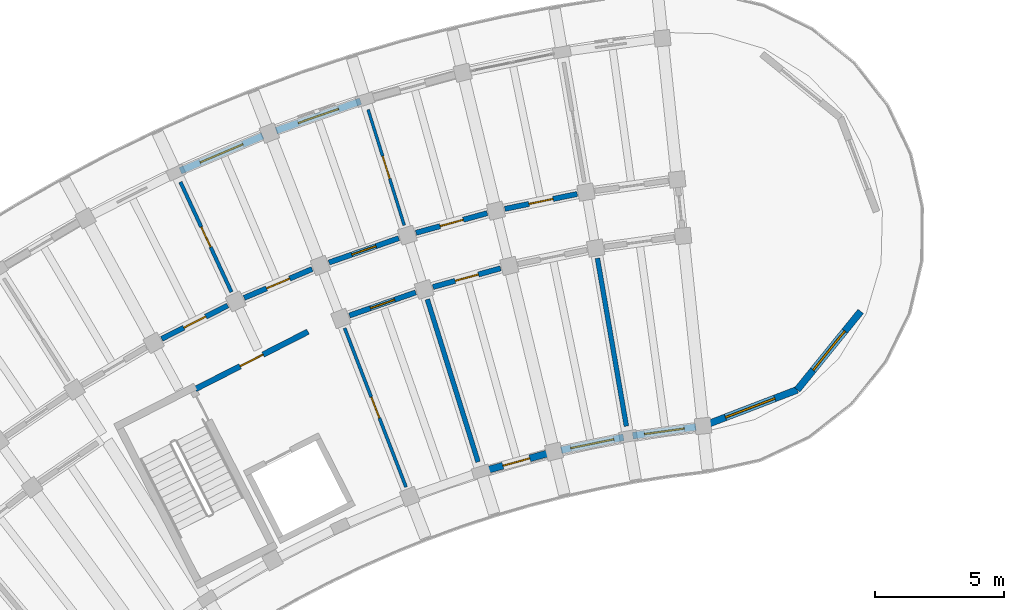
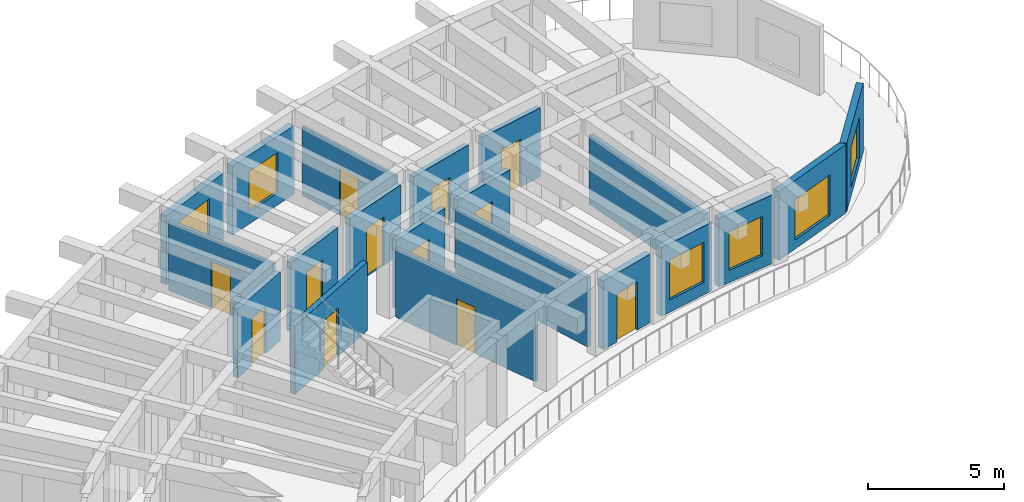
# One storey, part 90 of 128: 20 walls, 12 doors, 6 windows, 18 openings.
"""IFC4 building model written with IfcOpenShell, lengths in metres."""

from ifc_helpers import new_model, si_unit, direction, frame, frame_2d, origin, place, context, subcontext, project, spatial, rectangle, extrude, material, layer, layer_set, type_object, element, fill, save


model = new_model("IFC4")

# Units and contexts
model_context = context("Model", 3, precision=1e-05, world=origin(), true_north=direction((0.0, 1.0)))
body_context = subcontext(model_context, "Body", "Model", "MODEL_VIEW")
ifc_project = project(units=[si_unit("LENGTHUNIT", "METRE"), si_unit("AREAUNIT", "SQUARE_METRE"), si_unit("VOLUMEUNIT", "CUBIC_METRE"), si_unit("PLANEANGLEUNIT", "RADIAN"), si_unit("MASSUNIT", "GRAM", prefix="KILO")], contexts=[model_context])

# Site, building, storey
site_placement = place(None, origin())
site = spatial("IfcSite", under=ifc_project, at=site_placement, CompositionType="ELEMENT")
building_placement = place(site_placement, origin())
building = spatial("IfcBuilding", under=site, at=building_placement, Name="Tanwirah Colonnade Gardens", CompositionType="ELEMENT")
storey_placement = place(building_placement, frame((0.0, 0.0, 4.760009765625)))
storey = spatial("IfcBuildingStorey", under=building, at=storey_placement, Name="L01", CompositionType="ELEMENT", Elevation=4.760009765625)

# Wall, opening, window
ifc_material_1 = material(Name="Limestone architectural precast concrete C40/50", Category="masonry")
ifc_layer_1 = layer(ifc_material_1, 0.27001953125)
ifc_layer_set_1 = layer_set([ifc_layer_1], Name="Limestone architectural precast concrete C40/50")
wall_type_1 = type_object("IfcWallType", Name="EW-PC270", PredefinedType="SOLIDWALL", material=ifc_layer_set_1)
wall_1_placement = place(storey_placement, frame((60.076416015625, 104.3681640625, 0.0), z_axis=(0.0, 0.0, 1.0), x_axis=(-0.990533748482, -0.137269418003, 0.0)))
wall_1 = element("IfcWall", 1, at=wall_1_placement, inside=storey, type_object=wall_type_1, Name="Block A L01 IN Precast Facade Wall 0", PredefinedType="SOLIDWALL", context=body_context, shape_type="SweptSolid", body=[
    extrude(rectangle(XDim=2.470458984375, YDim=0.27001953125, at=frame_2d((1.2353515625, 0.0))), origin(), (0.0, 0.0, 1.0), 3.074951171875),
])
opening_1_placement = place(wall_1_placement, frame((0.460205078125, 0.0, 0.550048828125)))
opening_1 = element("IfcOpeningElement", 2, at=opening_1_placement, cuts=wall_1, Name="Opening WIN-T09", PredefinedType="OPENING", context=body_context, shape_type="SweptSolid", body=[
    extrude(rectangle(XDim=1.550048828125, YDim=1.75, at=frame_2d((0.77490234375, 0.875))), frame((0.0, 0.14501953125, 0.0), z_axis=(0.0, -1.0, 0.0), x_axis=(1.0, 0.0, 0.0)), (0.0, 0.0, 1.0), 0.2900390625),
])
ifc_material_2 = material(Name="Thermally broken bronze aluminium and solar low-E double glazing", Category="aluminium")
window_type_1 = type_object("IfcWindowType", Name="WIN-T09", PartitioningType="DOUBLE_PANEL_VERTICAL", PredefinedType="WINDOW", material=ifc_material_2)
window_1_placement = place(opening_1_placement, origin())
window_1 = element("IfcWindow", 3, at=window_1_placement, inside=storey, type_object=window_type_1, Name="Facade window A-L01-IN-00", OverallHeight=1.75, OverallWidth=1.550048828125, PartitioningType="SINGLE_PANEL", PredefinedType="WINDOW", context=body_context, shape_type="SweptSolid", body=[
    extrude(rectangle(XDim=1.550048828125, YDim=1.75, at=frame_2d((0.77490234375, 0.875))), frame((0.0, 0.030029296875, 0.0), z_axis=(0.0, -1.0, 0.0), x_axis=(1.0, 0.0, 0.0)), (0.0, 0.0, 1.0), 0.06005859375),
])
fill(opening_1, window_1)

wall_2_placement = place(storey_placement, frame((57.27490234375, 103.968017578125, 0.0), z_axis=(0.0, 0.0, 1.0), x_axis=(-0.9793219046, -0.202308198478, 0.0)))
wall_2 = element("IfcWall", 4, at=wall_2_placement, inside=storey, type_object=wall_type_1, Name="Block A L01 IN Precast Facade Wall 1", PredefinedType="SOLIDWALL", context=body_context, shape_type="SweptSolid", body=[
    extrude(rectangle(XDim=2.47021484375, YDim=0.27001953125, at=frame_2d((1.235107421875, 0.0))), origin(), (0.0, 0.0, 1.0), 3.074951171875),
])
opening_2_placement = place(wall_2_placement, frame((0.385009765625, 0.0, 0.550048828125)))
opening_2 = element("IfcOpeningElement", 5, at=opening_2_placement, cuts=wall_2, Name="Opening WIN-T12", PredefinedType="OPENING", context=body_context, shape_type="SweptSolid", body=[
    extrude(rectangle(XDim=1.699951171875, YDim=1.800048828125, at=frame_2d((0.85009765625, 0.89990234375))), frame((0.0, 0.14501953125, 0.0), z_axis=(0.0, -1.0, 0.0), x_axis=(1.0, 0.0, 0.0)), (0.0, 0.0, 1.0), 0.2900390625),
])
window_type_2 = type_object("IfcWindowType", Name="WIN-T12", PartitioningType="TRIPLE_PANEL_VERTICAL", PredefinedType="WINDOW", material=ifc_material_2)
window_2_placement = place(opening_2_placement, origin())
window_2 = element("IfcWindow", 6, at=window_2_placement, inside=storey, type_object=window_type_2, Name="Facade window A-L01-IN-01", OverallHeight=1.800048828125, OverallWidth=1.699951171875, PartitioningType="SINGLE_PANEL", PredefinedType="WINDOW", context=body_context, shape_type="SweptSolid", body=[
    extrude(rectangle(XDim=1.699951171875, YDim=1.800048828125, at=frame_2d((0.85009765625, 0.89990234375))), frame((0.0, 0.030029296875, 0.0), z_axis=(0.0, -1.0, 0.0), x_axis=(1.0, 0.0, 0.0)), (0.0, 0.0, 1.0), 0.06005859375),
])
fill(opening_2, window_2)

# Wall, opening, door
wall_3_placement = place(storey_placement, frame((54.3115234375, 103.337158203125, 0.0), z_axis=(0.0, 0.0, 1.0), x_axis=(-0.963903451939, -0.266252014716, 0.0)))
wall_3 = element("IfcWall", 7, at=wall_3_placement, inside=storey, type_object=wall_type_1, Name="Block A L01 IN Precast Facade Wall 2", PredefinedType="SOLIDWALL", context=body_context, shape_type="SweptSolid", body=[
    extrude(rectangle(XDim=2.47021484375, YDim=0.27001953125, at=frame_2d((1.235107421875, 0.0))), origin(), (0.0, 0.0, 1.0), 3.074951171875),
])
opening_3_placement = place(wall_3_placement, frame((0.695068359375, 0.0, 0.0)))
opening_3 = element("IfcOpeningElement", 8, at=opening_3_placement, cuts=wall_3, Name="Opening L01-ED004", PredefinedType="OPENING", context=body_context, shape_type="SweptSolid", body=[
    extrude(rectangle(XDim=1.080078125, YDim=2.14990234375, at=frame_2d((0.5400390625, 1.074951171875))), frame((0.0, 0.14501953125, 0.0), z_axis=(0.0, -1.0, 0.0), x_axis=(1.0, 0.0, 0.0)), (0.0, 0.0, 1.0), 0.2900390625),
])
ifc_material_3 = material(Name="Bronze aluminium glazed balcony door", Category="aluminium")
door_type_1 = type_object("IfcDoorType", Name="ED-BAL108", OperationType="NOTDEFINED", PredefinedType="DOOR", material=ifc_material_3)
door_1_placement = place(opening_3_placement, origin())
door_1 = element("IfcDoor", 9, at=door_1_placement, inside=storey, type_object=door_type_1, Name="Balcony glazed door L01-ED004", OperationType="SINGLE_SWING_RIGHT", OverallHeight=2.14990234375, OverallWidth=1.080078125, PredefinedType="DOOR", context=body_context, shape_type="SweptSolid", body=[
    extrude(rectangle(XDim=1.080078125, YDim=2.14990234375, at=frame_2d((0.5400390625, 1.074951171875))), frame((0.0, 0.02490234375, 0.0), z_axis=(0.0, -1.0, 0.0), x_axis=(1.0, 0.0, 0.0)), (0.0, 0.0, 1.0), 0.050048828125),
])
fill(opening_3, door_1)

# Wall, opening, window
wall_4_placement = place(storey_placement, frame((47.08837890625, 116.986328125, 0.0), z_axis=(0.0, 0.0, 1.0), x_axis=(-0.944261813885, -0.329195423477, 0.0)))
wall_4 = element("IfcWall", 10, at=wall_4_placement, inside=storey, type_object=wall_type_1, Name="Block A L01 OUT Precast Facade Wall 3", PredefinedType="SOLIDWALL", context=body_context, shape_type="SweptSolid", body=[
    extrude(rectangle(XDim=3.465576171875, YDim=0.27001953125, at=frame_2d((1.73291015625, 0.0))), origin(), (0.0, 0.0, 1.0), 3.074951171875),
])
opening_4_placement = place(wall_4_placement, frame((0.90771484375, 0.0, 0.550048828125)))
opening_4 = element("IfcOpeningElement", 11, at=opening_4_placement, cuts=wall_4, Name="Opening WIN-T11", PredefinedType="OPENING", context=body_context, shape_type="SweptSolid", body=[
    extrude(rectangle(XDim=1.64990234375, YDim=1.800048828125, at=frame_2d((0.824951171875, 0.89990234375))), frame((0.0, 0.14501953125, 0.0), z_axis=(0.0, -1.0, 0.0), x_axis=(1.0, 0.0, 0.0)), (0.0, 0.0, 1.0), 0.2900390625),
])
window_type_3 = type_object("IfcWindowType", Name="WIN-T11", PartitioningType="DOUBLE_PANEL_VERTICAL", PredefinedType="WINDOW", material=ifc_material_2)
window_3_placement = place(opening_4_placement, origin())
window_3 = element("IfcWindow", 12, at=window_3_placement, inside=storey, type_object=window_type_3, Name="Facade window A-L01-OUT-03", OverallHeight=1.800048828125, OverallWidth=1.64990234375, PartitioningType="SINGLE_PANEL", PredefinedType="WINDOW", context=body_context, shape_type="SweptSolid", body=[
    extrude(rectangle(XDim=1.64990234375, YDim=1.800048828125, at=frame_2d((0.824951171875, 0.89990234375))), frame((0.0, 0.030029296875, 0.0), z_axis=(0.0, -1.0, 0.0), x_axis=(1.0, 0.0, 0.0)), (0.0, 0.0, 1.0), 0.06005859375),
])
fill(opening_4, window_3)

wall_5_placement = place(storey_placement, frame((43.293701171875, 115.643798828125, 0.0), z_axis=(0.0, 0.0, 1.0), x_axis=(-0.920495033259, -0.390754262607, 0.0)))
wall_5 = element("IfcWall", 13, at=wall_5_placement, inside=storey, type_object=wall_type_1, Name="Block A L01 OUT Precast Facade Wall 4", PredefinedType="SOLIDWALL", context=body_context, shape_type="SweptSolid", body=[
    extrude(rectangle(XDim=3.4658203125, YDim=0.27001953125, at=frame_2d((1.73291015625, 0.0))), origin(), (0.0, 0.0, 1.0), 3.074951171875),
])
opening_5_placement = place(wall_5_placement, frame((0.832763671875, 0.0, 0.550048828125)))
opening_5 = element("IfcOpeningElement", 14, at=opening_5_placement, cuts=wall_5, Name="Opening WIN-T14", PredefinedType="OPENING", context=body_context, shape_type="SweptSolid", body=[
    extrude(rectangle(XDim=1.800048828125, YDim=1.85009765625, at=frame_2d((0.89990234375, 0.925048828125))), frame((0.0, 0.14501953125, 0.0), z_axis=(0.0, -1.0, 0.0), x_axis=(1.0, 0.0, 0.0)), (0.0, 0.0, 1.0), 0.2900390625),
])
window_type_4 = type_object("IfcWindowType", Name="WIN-T14", PartitioningType="TRIPLE_PANEL_VERTICAL", PredefinedType="WINDOW", material=ifc_material_2)
window_4_placement = place(opening_5_placement, origin())
window_4 = element("IfcWindow", 15, at=window_4_placement, inside=storey, type_object=window_type_4, Name="Facade window A-L01-OUT-04", OverallHeight=1.85009765625, OverallWidth=1.800048828125, PartitioningType="SINGLE_PANEL", PredefinedType="WINDOW", context=body_context, shape_type="SweptSolid", body=[
    extrude(rectangle(XDim=1.800048828125, YDim=1.85009765625, at=frame_2d((0.89990234375, 0.925048828125))), frame((0.0, 0.030029296875, 0.0), z_axis=(0.0, -1.0, 0.0), x_axis=(1.0, 0.0, 0.0)), (0.0, 0.0, 1.0), 0.06005859375),
])
fill(opening_5, window_4)

wall_6_placement = place(storey_placement, frame((66.461669921875, 108.84423828125, 0.0), z_axis=(0.0, 0.0, 1.0), x_axis=(-0.629331205321, -0.777137204109, 0.0)))
wall_6 = element("IfcWall", 16, at=wall_6_placement, inside=storey, type_object=wall_type_1, Name="Block A L01 START Rounded End Wall 4", PredefinedType="SOLIDWALL", context=body_context, shape_type="SweptSolid", body=[
    extrude(rectangle(XDim=3.907958984375, YDim=0.27001953125, at=frame_2d((1.9541015625, 0.0))), origin(), (0.0, 0.0, 1.0), 3.074951171875),
])
opening_6_placement = place(wall_6_placement, frame((0.97900390625, 0.0, 0.39990234375)))
opening_6 = element("IfcOpeningElement", 17, at=opening_6_placement, cuts=wall_6, Name="Opening WIN-END2", PredefinedType="OPENING", context=body_context, shape_type="SweptSolid", body=[
    extrude(rectangle(XDim=1.949951171875, YDim=1.780029296875, at=frame_2d((0.97509765625, 0.89013671875))), frame((0.0, 0.14501953125, 0.0), z_axis=(0.0, -1.0, 0.0), x_axis=(1.0, 0.0, 0.0)), (0.0, 0.0, 1.0), 0.2900390625),
])
window_type_5 = type_object("IfcWindowType", Name="WIN-END2", PartitioningType="TRIPLE_PANEL_VERTICAL", PredefinedType="WINDOW", material=ifc_material_2)
window_5_placement = place(opening_6_placement, origin())
window_5 = element("IfcWindow", 18, at=window_5_placement, inside=storey, type_object=window_type_5, Name="Rounded corner window A-L01-START-4", OverallHeight=1.780029296875, OverallWidth=1.949951171875, PartitioningType="SINGLE_PANEL", PredefinedType="WINDOW", context=body_context, shape_type="SweptSolid", body=[
    extrude(rectangle(XDim=1.949951171875, YDim=1.780029296875, at=frame_2d((0.97509765625, 0.89013671875))), frame((0.0, 0.030029296875, 0.0), z_axis=(0.0, -1.0, 0.0), x_axis=(1.0, 0.0, 0.0)), (0.0, 0.0, 1.0), 0.06005859375),
])
fill(opening_6, window_5)

wall_7_placement = place(storey_placement, frame((64.002197265625, 105.80712890625, 0.0), z_axis=(0.0, 0.0, 1.0), x_axis=(-0.93356922619, -0.35839712598, 0.0)))
wall_7 = element("IfcWall", 19, at=wall_7_placement, inside=storey, type_object=wall_type_1, Name="Block A L01 START Rounded End Wall 5", PredefinedType="SOLIDWALL", context=body_context, shape_type="SweptSolid", body=[
    extrude(rectangle(XDim=3.907958984375, YDim=0.27001953125, at=frame_2d((1.9541015625, 0.0))), origin(), (0.0, 0.0, 1.0), 3.074951171875),
])
opening_7_placement = place(wall_7_placement, frame((0.92919921875, 0.0, 0.39990234375)))
opening_7 = element("IfcOpeningElement", 20, at=opening_7_placement, cuts=wall_7, Name="Opening WIN-END3", PredefinedType="OPENING", context=body_context, shape_type="SweptSolid", body=[
    extrude(rectangle(XDim=2.050048828125, YDim=1.820068359375, at=frame_2d((1.02490234375, 0.91015625))), frame((0.0, 0.14501953125, 0.0), z_axis=(0.0, -1.0, 0.0), x_axis=(1.0, 0.0, 0.0)), (0.0, 0.0, 1.0), 0.2900390625),
])
window_type_6 = type_object("IfcWindowType", Name="WIN-END3", PartitioningType="TRIPLE_PANEL_VERTICAL", PredefinedType="WINDOW", material=ifc_material_2)
window_6_placement = place(opening_7_placement, origin())
window_6 = element("IfcWindow", 21, at=window_6_placement, inside=storey, type_object=window_type_6, Name="Rounded corner window A-L01-START-5", OverallHeight=1.820068359375, OverallWidth=2.050048828125, PartitioningType="SINGLE_PANEL", PredefinedType="WINDOW", context=body_context, shape_type="SweptSolid", body=[
    extrude(rectangle(XDim=2.050048828125, YDim=1.820068359375, at=frame_2d((1.02490234375, 0.91015625))), frame((0.0, 0.030029296875, 0.0), z_axis=(0.0, -1.0, 0.0), x_axis=(1.0, 0.0, 0.0)), (0.0, 0.0, 1.0), 0.06005859375),
])
fill(opening_7, window_6)

# Wall, opening, door
ifc_material_4 = material(Name="Precast concrete C40/50", Category="concrete")
ifc_layer_2 = layer(ifc_material_4, 0.205078125)
ifc_layer_set_2 = layer_set([ifc_layer_2], Name="Precast concrete C40/50")
wall_type_2 = type_object("IfcWallType", Name="IW-CORR205", PredefinedType="PARTITIONING", material=ifc_layer_set_2)
wall_8_placement = place(storey_placement, frame((55.47802734375, 113.39404296875, 0.0), z_axis=(0.0, 0.0, 1.0), x_axis=(-0.979348418612, -0.202179808492, 0.0)))
wall_8 = element("IfcWall", 22, at=wall_8_placement, inside=storey, type_object=wall_type_2, Name="Block A L01 OUT Corridor Wall 1", PredefinedType="PARTITIONING", context=body_context, shape_type="SweptSolid", body=[
    extrude(rectangle(XDim=2.863037109375, YDim=0.205078125, at=frame_2d((1.431640625, 0.0))), origin(), (0.0, 0.0, 1.0), 3.090087890625),
])
opening_8_placement = place(wall_8_placement, frame((0.95654296875, 0.0, 0.0)))
opening_8 = element("IfcOpeningElement", 23, at=opening_8_placement, cuts=wall_8, Name="Opening L01-AD266", PredefinedType="OPENING", context=body_context, shape_type="SweptSolid", body=[
    extrude(rectangle(XDim=0.949951171875, YDim=2.1298828125, at=frame_2d((0.47509765625, 1.06494140625))), frame((0.0, 0.112548828125, 0.0), z_axis=(0.0, -1.0, 0.0), x_axis=(1.0, 0.0, 0.0)), (0.0, 0.0, 1.0), 0.22509765625),
])
ifc_material_5 = material(Name="Solid oak fire-resisting apartment entrance door")
door_type_2 = type_object("IfcDoorType", Name="ID-FLT095", OperationType="NOTDEFINED", PredefinedType="DOOR", material=ifc_material_5)
door_2_placement = place(opening_8_placement, origin())
door_2 = element("IfcDoor", 24, at=door_2_placement, inside=storey, type_object=door_type_2, Name="Apartment corridor door L01-AD266", OperationType="SINGLE_SWING_LEFT", OverallHeight=2.1298828125, OverallWidth=0.949951171875, PredefinedType="DOOR", context=body_context, shape_type="SweptSolid", body=[
    extrude(rectangle(XDim=0.949951171875, YDim=2.1298828125, at=frame_2d((0.47509765625, 1.06494140625))), frame((0.0, 0.02490234375, 0.0), z_axis=(0.0, -1.0, 0.0), x_axis=(1.0, 0.0, 0.0)), (0.0, 0.0, 1.0), 0.050048828125),
])
fill(opening_8, door_2)

wall_9_placement = place(storey_placement, frame((51.993896484375, 112.651123046875, 0.0), z_axis=(0.0, 0.0, 1.0), x_axis=(-0.963890789093, -0.266297853356, 0.0)))
wall_9 = element("IfcWall", 25, at=wall_9_placement, inside=storey, type_object=wall_type_2, Name="Block A L01 OUT Corridor Wall 2", PredefinedType="PARTITIONING", context=body_context, shape_type="SweptSolid", body=[
    extrude(rectangle(XDim=2.863037109375, YDim=0.205078125, at=frame_2d((1.431640625, 0.0))), origin(), (0.0, 0.0, 1.0), 3.090087890625),
])
opening_9_placement = place(wall_9_placement, frame((0.966552734375, 0.0, 0.0)))
opening_9 = element("IfcOpeningElement", 26, at=opening_9_placement, cuts=wall_9, Name="Opening L01-AD268", PredefinedType="OPENING", context=body_context, shape_type="SweptSolid", body=[
    extrude(rectangle(XDim=0.929931640625, YDim=2.1201171875, at=frame_2d((0.46484375, 1.06005859375))), frame((0.0, 0.112548828125, 0.0), z_axis=(0.0, -1.0, 0.0), x_axis=(1.0, 0.0, 0.0)), (0.0, 0.0, 1.0), 0.22509765625),
])
door_type_3 = type_object("IfcDoorType", Name="ID-FLT093", OperationType="NOTDEFINED", PredefinedType="DOOR", material=ifc_material_5)
door_3_placement = place(opening_9_placement, origin())
door_3 = element("IfcDoor", 27, at=door_3_placement, inside=storey, type_object=door_type_3, Name="Apartment corridor door L01-AD268", OperationType="SINGLE_SWING_RIGHT", OverallHeight=2.1201171875, OverallWidth=0.929931640625, PredefinedType="DOOR", context=body_context, shape_type="SweptSolid", body=[
    extrude(rectangle(XDim=0.929931640625, YDim=2.1201171875, at=frame_2d((0.46484375, 1.06005859375))), frame((0.0, 0.02490234375, 0.0), z_axis=(0.0, -1.0, 0.0), x_axis=(1.0, 0.0, 0.0)), (0.0, 0.0, 1.0), 0.050048828125),
])
fill(opening_9, door_3)

wall_10_placement = place(storey_placement, frame((52.509521484375, 110.512451171875, 0.0), z_axis=(0.0, 0.0, 1.0), x_axis=(-0.96388375821, -0.266323301006, 0.0)))
wall_10 = element("IfcWall", 28, at=wall_10_placement, inside=storey, type_object=wall_type_2, Name="Block A L01 IN Corridor Wall 2", PredefinedType="PARTITIONING", context=body_context, shape_type="SweptSolid", body=[
    extrude(rectangle(XDim=2.718017578125, YDim=0.205078125, at=frame_2d((1.35888671875, 0.0))), origin(), (0.0, 0.0, 1.0), 3.090087890625),
])
opening_10_placement = place(wall_10_placement, frame((0.89404296875, 0.0, 0.0)))
opening_10 = element("IfcOpeningElement", 29, at=opening_10_placement, cuts=wall_10, Name="Opening L01-AD269", PredefinedType="OPENING", context=body_context, shape_type="SweptSolid", body=[
    extrude(rectangle(XDim=0.929931640625, YDim=2.1201171875, at=frame_2d((0.46484375, 1.06005859375))), frame((0.0, 0.112548828125, 0.0), z_axis=(0.0, -1.0, 0.0), x_axis=(1.0, 0.0, 0.0)), (0.0, 0.0, 1.0), 0.22509765625),
])
door_4_placement = place(opening_10_placement, origin())
door_4 = element("IfcDoor", 30, at=door_4_placement, inside=storey, type_object=door_type_3, Name="Apartment corridor door L01-AD269", OperationType="SINGLE_SWING_LEFT", OverallHeight=2.1201171875, OverallWidth=0.929931640625, PredefinedType="DOOR", context=body_context, shape_type="SweptSolid", body=[
    extrude(rectangle(XDim=0.929931640625, YDim=2.1201171875, at=frame_2d((0.46484375, 1.06005859375))), frame((0.0, 0.02490234375, 0.0), z_axis=(0.0, -1.0, 0.0), x_axis=(1.0, 0.0, 0.0)), (0.0, 0.0, 1.0), 0.050048828125),
])
fill(opening_10, door_4)

wall_11_placement = place(storey_placement, frame((48.56640625, 111.68017578125, 0.0), z_axis=(0.0, 0.0, 1.0), x_axis=(-0.944253820929, -0.329218349522, 0.0)))
wall_11 = element("IfcWall", 31, at=wall_11_placement, inside=storey, type_object=wall_type_2, Name="Block A L01 OUT Corridor Wall 3", PredefinedType="PARTITIONING", context=body_context, shape_type="SweptSolid", body=[
    extrude(rectangle(XDim=2.86328125, YDim=0.205078125, at=frame_2d((1.431640625, 0.0))), origin(), (0.0, 0.0, 1.0), 3.090087890625),
])
opening_11_placement = place(wall_11_placement, frame((0.9365234375, 0.0, 0.0)))
opening_11 = element("IfcOpeningElement", 32, at=opening_11_placement, cuts=wall_11, Name="Opening L01-AD271", PredefinedType="OPENING", context=body_context, shape_type="SweptSolid", body=[
    extrude(rectangle(XDim=0.989990234375, YDim=2.159912109375, at=frame_2d((0.4951171875, 1.080078125))), frame((0.0, 0.112548828125, 0.0), z_axis=(0.0, -1.0, 0.0), x_axis=(1.0, 0.0, 0.0)), (0.0, 0.0, 1.0), 0.22509765625),
])
door_type_4 = type_object("IfcDoorType", Name="ID-FLT099", OperationType="NOTDEFINED", PredefinedType="DOOR", material=ifc_material_5)
door_5_placement = place(opening_11_placement, origin())
door_5 = element("IfcDoor", 33, at=door_5_placement, inside=storey, type_object=door_type_4, Name="Apartment corridor door L01-AD271", OperationType="SINGLE_SWING_LEFT", OverallHeight=2.159912109375, OverallWidth=0.989990234375, PredefinedType="DOOR", context=body_context, shape_type="SweptSolid", body=[
    extrude(rectangle(XDim=0.989990234375, YDim=2.159912109375, at=frame_2d((0.4951171875, 1.080078125))), frame((0.0, 0.02490234375, 0.0), z_axis=(0.0, -1.0, 0.0), x_axis=(1.0, 0.0, 0.0)), (0.0, 0.0, 1.0), 0.050048828125),
])
fill(opening_11, door_5)

wall_12_placement = place(storey_placement, frame((49.221923828125, 109.580078125, 0.0), z_axis=(0.0, 0.0, 1.0), x_axis=(-0.944265123647, -0.329185929627, 0.0)))
wall_12 = element("IfcWall", 34, at=wall_12_placement, inside=storey, type_object=wall_type_2, Name="Block A L01 IN Corridor Wall 3", PredefinedType="PARTITIONING", context=body_context, shape_type="SweptSolid", body=[
    extrude(rectangle(XDim=2.71826171875, YDim=0.205078125, at=frame_2d((1.359130859375, 0.0))), origin(), (0.0, 0.0, 1.0), 3.090087890625),
])
opening_12_placement = place(wall_12_placement, frame((0.864013671875, 0.0, 0.0)))
opening_12 = element("IfcOpeningElement", 35, at=opening_12_placement, cuts=wall_12, Name="Opening L01-AD272", PredefinedType="OPENING", context=body_context, shape_type="SweptSolid", body=[
    extrude(rectangle(XDim=0.989990234375, YDim=2.159912109375, at=frame_2d((0.4951171875, 1.080078125))), frame((0.0, 0.112548828125, 0.0), z_axis=(0.0, -1.0, 0.0), x_axis=(1.0, 0.0, 0.0)), (0.0, 0.0, 1.0), 0.22509765625),
])
door_6_placement = place(opening_12_placement, origin())
door_6 = element("IfcDoor", 36, at=door_6_placement, inside=storey, type_object=door_type_4, Name="Apartment corridor door L01-AD272", OperationType="SINGLE_SWING_RIGHT", OverallHeight=2.159912109375, OverallWidth=0.989990234375, PredefinedType="DOOR", context=body_context, shape_type="SweptSolid", body=[
    extrude(rectangle(XDim=0.989990234375, YDim=2.159912109375, at=frame_2d((0.4951171875, 1.080078125))), frame((0.0, 0.02490234375, 0.0), z_axis=(0.0, -1.0, 0.0), x_axis=(1.0, 0.0, 0.0)), (0.0, 0.0, 1.0), 0.050048828125),
])
fill(opening_12, door_6)

wall_13_placement = place(storey_placement, frame((45.210205078125, 110.485595703125, 0.0), z_axis=(0.0, 0.0, 1.0), x_axis=(-0.920511160294, -0.390716270168, 0.0)))
wall_13 = element("IfcWall", 37, at=wall_13_placement, inside=storey, type_object=wall_type_2, Name="Block A L01 OUT Corridor Wall 4", PredefinedType="PARTITIONING", context=body_context, shape_type="SweptSolid", body=[
    extrude(rectangle(XDim=2.863037109375, YDim=0.205078125, at=frame_2d((1.431640625, 0.0))), origin(), (0.0, 0.0, 1.0), 3.090087890625),
])
opening_13_placement = place(wall_13_placement, frame((0.946533203125, 0.0, 0.0)))
opening_13 = element("IfcOpeningElement", 38, at=opening_13_placement, cuts=wall_13, Name="Opening L01-AD274", PredefinedType="OPENING", context=body_context, shape_type="SweptSolid", body=[
    extrude(rectangle(XDim=0.969970703125, YDim=2.14990234375, at=frame_2d((0.48486328125, 1.074951171875))), frame((0.0, 0.112548828125, 0.0), z_axis=(0.0, -1.0, 0.0), x_axis=(1.0, 0.0, 0.0)), (0.0, 0.0, 1.0), 0.22509765625),
])
door_type_5 = type_object("IfcDoorType", Name="ID-FLT097", OperationType="NOTDEFINED", PredefinedType="DOOR", material=ifc_material_5)
door_7_placement = place(opening_13_placement, origin())
door_7 = element("IfcDoor", 39, at=door_7_placement, inside=storey, type_object=door_type_5, Name="Apartment corridor door L01-AD274", OperationType="SINGLE_SWING_RIGHT", OverallHeight=2.14990234375, OverallWidth=0.969970703125, PredefinedType="DOOR", context=body_context, shape_type="SweptSolid", body=[
    extrude(rectangle(XDim=0.969970703125, YDim=2.14990234375, at=frame_2d((0.48486328125, 1.074951171875))), frame((0.0, 0.02490234375, 0.0), z_axis=(0.0, -1.0, 0.0), x_axis=(1.0, 0.0, 0.0)), (0.0, 0.0, 1.0), 0.050048828125),
])
fill(opening_13, door_7)

wall_14_placement = place(storey_placement, frame((41.93994140625, 109.072509765625, 0.0), z_axis=(0.0, 0.0, 1.0), x_axis=(-0.89273239336, -0.450587254419, 0.0)))
wall_14 = element("IfcWall", 40, at=wall_14_placement, inside=storey, type_object=wall_type_2, Name="Block A L01 OUT Corridor Wall 5", PredefinedType="PARTITIONING", context=body_context, shape_type="SweptSolid", body=[
    extrude(rectangle(XDim=2.863037109375, YDim=0.205078125, at=frame_2d((1.431640625, 0.0))), origin(), (0.0, 0.0, 1.0), 3.090087890625),
])
opening_14_placement = place(wall_14_placement, frame((0.95654296875, 0.0, 0.0)))
opening_14 = element("IfcOpeningElement", 41, at=opening_14_placement, cuts=wall_14, Name="Opening L01-AD276", PredefinedType="OPENING", context=body_context, shape_type="SweptSolid", body=[
    extrude(rectangle(XDim=0.949951171875, YDim=2.1298828125, at=frame_2d((0.47509765625, 1.06494140625))), frame((0.0, 0.112548828125, 0.0), z_axis=(0.0, -1.0, 0.0), x_axis=(1.0, 0.0, 0.0)), (0.0, 0.0, 1.0), 0.22509765625),
])
door_8_placement = place(opening_14_placement, origin())
door_8 = element("IfcDoor", 42, at=door_8_placement, inside=storey, type_object=door_type_2, Name="Apartment corridor door L01-AD276", OperationType="SINGLE_SWING_LEFT", OverallHeight=2.1298828125, OverallWidth=0.949951171875, PredefinedType="DOOR", context=body_context, shape_type="SweptSolid", body=[
    extrude(rectangle(XDim=0.949951171875, YDim=2.1298828125, at=frame_2d((0.47509765625, 1.06494140625))), frame((0.0, 0.02490234375, 0.0), z_axis=(0.0, -1.0, 0.0), x_axis=(1.0, 0.0, 0.0)), (0.0, 0.0, 1.0), 0.050048828125),
])
fill(opening_14, door_8)

# Walls
ifc_layer_3 = layer(ifc_material_4, 0.18505859375)
ifc_layer_set_3 = layer_set([ifc_layer_3], Name="Precast concrete C40/50")
wall_type_3 = type_object("IfcWallType", Name="IW-DEM185", PredefinedType="PARTITIONING", material=ifc_layer_set_3)
for number, where, z_axis, x_axis, name in (
    (43, (57.38330078125, 104.3984375, 0.0), (0.0, 0.0, 1.0), (-0.169825160084, 0.985474208187, 0.0), "Block A L01 Inner Radial Partition 0"),
    (44, (51.637939453125, 103.01318359375, 0.0), (0.0, 0.0, 1.0), (-0.2979590431, 0.954578655028, 0.0), "Block A L01 Inner Radial Partition 2"),
):
    element("IfcWall", number, at=place(storey_placement, frame(where, z_axis=z_axis, x_axis=x_axis)), inside=storey, type_object=wall_type_3, Name=name, PredefinedType="PARTITIONING", context=body_context, shape_type="SweptSolid", body=[
        extrude(rectangle(XDim=6.60009765625, YDim=0.18505859375, at=frame_2d((3.300048828125, 0.0))), origin(), (0.0, 0.0, 1.0), 3.090087890625),
    ])

# Wall, opening, door
ifc_material_6 = material(Name="Autoclaved aerated masonry blockwork", Category="masonry")
ifc_layer_4 = layer(ifc_material_6, 0.219970703125)
ifc_layer_set_4 = layer_set([ifc_layer_4], Name="Autoclaved aerated masonry blockwork")
wall_type_4 = type_object("IfcWallType", Name="IW-FFL220", PredefinedType="PARTITIONING", material=ifc_layer_set_4)
wall_15_placement = place(storey_placement, frame((40.68212890625, 105.833740234375, 0.0), z_axis=(0.0, 0.0, 1.0), x_axis=(0.891003372311, 0.453996685595, 0.0)))
wall_15 = element("IfcWall", 45, at=wall_15_placement, inside=storey, type_object=wall_type_4, Name="CORE-A1 L01 Enclosed Lobby Fire Wall", PredefinedType="PARTITIONING", context=body_context, shape_type="SweptSolid", body=[
    extrude(rectangle(XDim=4.900146484375, YDim=0.219970703125, at=frame_2d((2.4501953125, 0.0))), origin(), (0.0, 0.0, 1.0), 3.06005859375),
])
opening_15_placement = place(wall_15_placement, frame((1.949951171875, 0.0, 0.0)))
opening_15 = element("IfcOpeningElement", 46, at=opening_15_placement, cuts=wall_15, Name="Opening L01-LD019", PredefinedType="OPENING", context=body_context, shape_type="SweptSolid", body=[
    extrude(rectangle(XDim=1.0, YDim=2.14990234375, at=frame_2d((0.5, 1.074951171875))), frame((0.0, 0.119873046875, 0.0), z_axis=(0.0, -1.0, 0.0), x_axis=(1.0, 0.0, 0.0)), (0.0, 0.0, 1.0), 0.239990234375),
])
ifc_material_7 = material(Name="Acoustic fire-resisting lobby door")
door_type_6 = type_object("IfcDoorType", Name="ID-FFL100", OperationType="NOTDEFINED", PredefinedType="DOOR", material=ifc_material_7)
door_9_placement = place(opening_15_placement, origin())
door_9 = element("IfcDoor", 47, at=door_9_placement, inside=storey, type_object=door_type_6, Name="CORE-A1 L01 Lobby Fire Door L01-LD019", OperationType="SINGLE_SWING_RIGHT", OverallHeight=2.14990234375, OverallWidth=1.0, PredefinedType="DOOR", context=body_context, shape_type="SweptSolid", body=[
    extrude(rectangle(XDim=1.0, YDim=2.14990234375, at=frame_2d((0.5, 1.074951171875))), frame((0.0, 0.02490234375, 0.0), z_axis=(0.0, -1.0, 0.0), x_axis=(1.0, 0.0, 0.0)), (0.0, 0.0, 1.0), 0.050048828125),
])
fill(opening_15, door_9)

ifc_material_8 = material(Name="Acoustic gypsum stud partition")
ifc_layer_5 = layer(ifc_material_8, 0.114990234375)
ifc_layer_set_5 = layer_set([ifc_layer_5], Name="Acoustic gypsum stud partition")
wall_type_5 = type_object("IfcWallType", Name="IW-INT115", PredefinedType="PARTITIONING", material=ifc_layer_set_5)
wall_16_placement = place(storey_placement, frame((48.777587890625, 112.17724609375, 0.0), z_axis=(0.0, 0.0, 1.0), x_axis=(-0.297905254614, 0.954595442726, 0.0)))
wall_16 = element("IfcWall", 48, at=wall_16_placement, inside=storey, type_object=wall_type_5, Name="Block A L01 Radial Partition 2", PredefinedType="PARTITIONING", context=body_context, shape_type="SweptSolid", body=[
    extrude(rectangle(XDim=4.699951171875, YDim=0.114990234375, at=frame_2d((2.35009765625, 0.0))), origin(), (0.0, 0.0, 1.0), 3.090087890625),
])
opening_16_placement = place(wall_16_placement, frame((1.89501953125, 0.0, 0.0)))
opening_16 = element("IfcOpeningElement", 49, at=opening_16_placement, cuts=wall_16, Name="Opening L01-RD270", PredefinedType="OPENING", context=body_context, shape_type="SweptSolid", body=[
    extrude(rectangle(XDim=0.909912109375, YDim=2.10009765625, at=frame_2d((0.455078125, 1.050048828125))), frame((0.0, 0.0673828125, 0.0), z_axis=(0.0, -1.0, 0.0), x_axis=(1.0, 0.0, 0.0)), (0.0, 0.0, 1.0), 0.135009765625),
])
ifc_material_9 = material(Name="Painted hardwood internal room door", Category="wood")
door_type_7 = type_object("IfcDoorType", Name="ID-RM091", OperationType="NOTDEFINED", PredefinedType="DOOR", material=ifc_material_9)
door_10_placement = place(opening_16_placement, origin())
door_10 = element("IfcDoor", 50, at=door_10_placement, inside=storey, type_object=door_type_7, Name="Internal apartment door L01-RD270", OperationType="SINGLE_SWING_RIGHT", OverallHeight=2.10009765625, OverallWidth=0.909912109375, PredefinedType="DOOR", context=body_context, shape_type="SweptSolid", body=[
    extrude(rectangle(XDim=0.909912109375, YDim=2.10009765625, at=frame_2d((0.455078125, 1.050048828125))), frame((0.0, 0.02490234375, 0.0), z_axis=(0.0, -1.0, 0.0), x_axis=(1.0, 0.0, 0.0)), (0.0, 0.0, 1.0), 0.050048828125),
])
fill(opening_16, door_10)

ifc_material_10 = material(Name="Moisture-resistant gypsum stud partition")
ifc_layer_6 = layer(ifc_material_10, 0.125)
ifc_layer_set_6 = layer_set([ifc_layer_6], Name="Moisture-resistant gypsum stud partition")
wall_type_6 = type_object("IfcWallType", Name="IW-INT125", PredefinedType="PARTITIONING", material=ifc_layer_set_6)
wall_17_placement = place(storey_placement, frame((48.845947265625, 102.039794921875, 0.0), z_axis=(0.0, 0.0, 1.0), x_axis=(-0.360183473608, 0.932881485152, 0.0)))
wall_17 = element("IfcWall", 51, at=wall_17_placement, inside=storey, type_object=wall_type_6, Name="Block A L01 Inner Radial Partition 3", PredefinedType="PARTITIONING", context=body_context, shape_type="SweptSolid", body=[
    extrude(rectangle(XDim=6.599853515625, YDim=0.125, at=frame_2d((3.2998046875, 0.0))), origin(), (0.0, 0.0, 1.0), 3.090087890625),
])
opening_17_placement = place(wall_17_placement, frame((2.864990234375, 0.0, 0.0)))
opening_17 = element("IfcOpeningElement", 52, at=opening_17_placement, cuts=wall_17, Name="Opening L01-RD273", PredefinedType="OPENING", context=body_context, shape_type="SweptSolid", body=[
    extrude(rectangle(XDim=0.8701171875, YDim=2.080078125, at=frame_2d((0.43505859375, 1.0400390625))), frame((0.0, 0.072509765625, 0.0), z_axis=(0.0, -1.0, 0.0), x_axis=(1.0, 0.0, 0.0)), (0.0, 0.0, 1.0), 0.14501953125),
])
ifc_material_11 = material(Name="Painted hardwood study door", Category="wood")
door_type_8 = type_object("IfcDoorType", Name="ID-RM087", OperationType="NOTDEFINED", PredefinedType="DOOR", material=ifc_material_11)
door_11_placement = place(opening_17_placement, origin())
door_11 = element("IfcDoor", 53, at=door_11_placement, inside=storey, type_object=door_type_8, Name="Internal apartment door L01-RD273", OperationType="SINGLE_SWING_RIGHT", OverallHeight=2.080078125, OverallWidth=0.8701171875, PredefinedType="DOOR", context=body_context, shape_type="SweptSolid", body=[
    extrude(rectangle(XDim=0.8701171875, YDim=2.080078125, at=frame_2d((0.43505859375, 1.0400390625))), frame((0.0, 0.02490234375, 0.0), z_axis=(0.0, -1.0, 0.0), x_axis=(1.0, 0.0, 0.0)), (0.0, 0.0, 1.0), 0.050048828125),
])
fill(opening_17, door_11)

ifc_material_12 = material(Name="Water-resistant acoustic plumbing partition")
ifc_layer_7 = layer(ifc_material_12, 0.139892578125)
ifc_layer_set_7 = layer_set([ifc_layer_7], Name="Water-resistant acoustic plumbing partition")
wall_type_7 = type_object("IfcWallType", Name="IW-WET140", PredefinedType="PLUMBINGWALL", material=ifc_layer_set_7)
wall_18_placement = place(storey_placement, frame((42.084228515625, 109.593017578125, 0.0), z_axis=(0.0, 0.0, 1.0), x_axis=(-0.420862519045, 0.907124434718, 0.0)))
wall_18 = element("IfcWall", 54, at=wall_18_placement, inside=storey, type_object=wall_type_7, Name="Block A L01 Radial Partition 4", PredefinedType="PLUMBINGWALL", context=body_context, shape_type="SweptSolid", body=[
    extrude(rectangle(XDim=4.699951171875, YDim=0.139892578125, at=frame_2d((2.35009765625, 0.0))), origin(), (0.0, 0.0, 1.0), 3.090087890625),
])
opening_18_placement = place(wall_18_placement, frame((1.919921875, 0.0, 0.0)))
opening_18 = element("IfcOpeningElement", 55, at=opening_18_placement, cuts=wall_18, Name="Opening L01-RD275", PredefinedType="OPENING", context=body_context, shape_type="SweptSolid", body=[
    extrude(rectangle(XDim=0.860107421875, YDim=2.06005859375, at=frame_2d((0.43017578125, 1.030029296875))), frame((0.0, 0.079833984375, 0.0), z_axis=(0.0, -1.0, 0.0), x_axis=(1.0, 0.0, 0.0)), (0.0, 0.0, 1.0), 0.159912109375),
])
ifc_material_13 = material(Name="Moisture-resistant bathroom door")
door_type_9 = type_object("IfcDoorType", Name="ID-WET086", OperationType="NOTDEFINED", PredefinedType="DOOR", material=ifc_material_13)
door_12_placement = place(opening_18_placement, origin())
door_12 = element("IfcDoor", 56, at=door_12_placement, inside=storey, type_object=door_type_9, Name="Internal apartment door L01-RD275", OperationType="SINGLE_SWING_RIGHT", OverallHeight=2.06005859375, OverallWidth=0.860107421875, PredefinedType="DOOR", context=body_context, shape_type="SweptSolid", body=[
    extrude(rectangle(XDim=0.860107421875, YDim=2.06005859375, at=frame_2d((0.43017578125, 1.030029296875))), frame((0.0, 0.02490234375, 0.0), z_axis=(0.0, -1.0, 0.0), x_axis=(1.0, 0.0, 0.0)), (0.0, 0.0, 1.0), 0.050048828125),
])
fill(opening_18, door_12)

save(model, "model.ifc")
